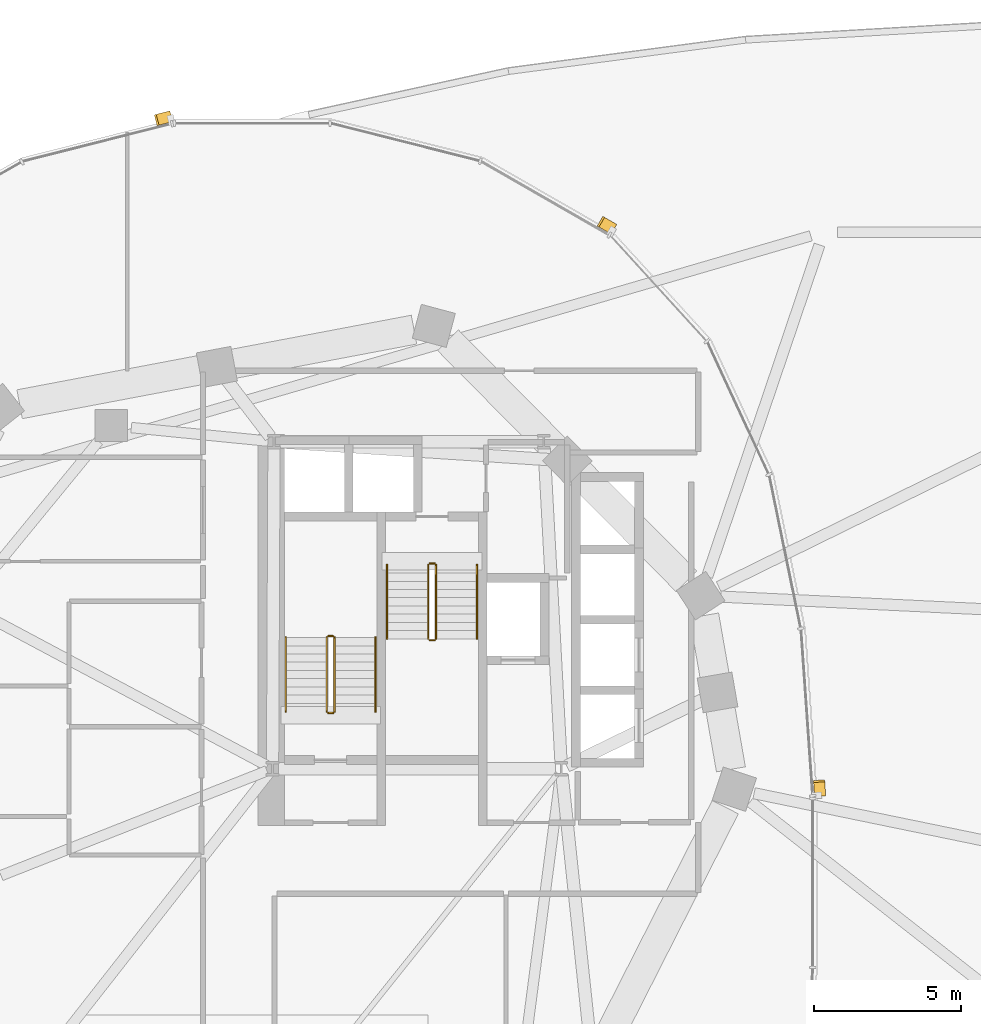
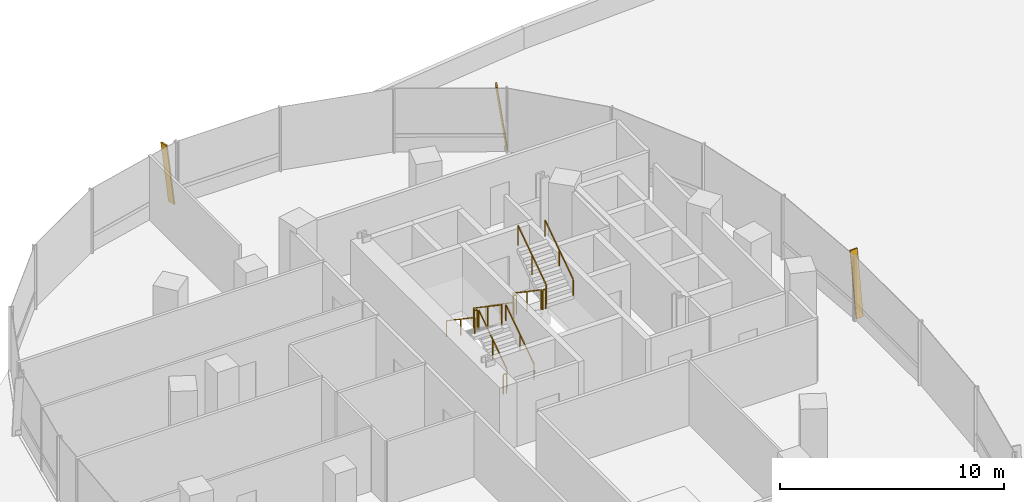
# One storey, part 26 of 28: 12 railings, 3 shading devices.
"""IFC4 building model written with IfcOpenShell, lengths in metres."""

from ifc_helpers import new_model, si_unit, direction, frame, origin, origin_2d, place, context, subcontext, project, spatial, rectangle, extrude, material, material_profile, profile_set, type_object, element, save


model = new_model("IFC4")

# Units and contexts
model_context = context("Model", 3, precision=1e-05, world=origin(), true_north=direction((0.0, 1.0)))
body_context = subcontext(model_context, "Body", "Model", "MODEL_VIEW")
ifc_project = project(units=[si_unit("LENGTHUNIT", "METRE"), si_unit("AREAUNIT", "SQUARE_METRE"), si_unit("VOLUMEUNIT", "CUBIC_METRE"), si_unit("PLANEANGLEUNIT", "RADIAN"), si_unit("MASSUNIT", "GRAM", prefix="KILO"), si_unit("THERMODYNAMICTEMPERATUREUNIT", "KELVIN"), si_unit("POWERUNIT", "WATT")], contexts=[model_context])

# Site, building, storey
site_placement = place(None, origin())
site = spatial("IfcSite", under=ifc_project, at=site_placement, CompositionType="ELEMENT")
building_placement = place(site_placement, origin())
building = spatial("IfcBuilding", under=site, at=building_placement, Name="Cundina Bronze Exchange", CompositionType="ELEMENT")
storey_placement = place(building_placement, frame((0.0, 0.0, 24.0)))
storey = spatial("IfcBuildingStorey", under=building, at=storey_placement, Name="L05", CompositionType="ELEMENT", Elevation=24.0)

# Railings
ifc_material_1 = material(Name="Steel ASTM A36 Painted", Category="steel")
railing_type_1 = type_object("IfcRailingType", Name="RLG-HND-900", PredefinedType="HANDRAIL", material=ifc_material_1)
railing_1_placement = place(storey_placement, frame((-27.7900390625, 5.85009765625, 0.18994140625)))
element("IfcRailing", 1, at=railing_1_placement, inside=storey, type_object=railing_type_1, Name="L05 ST-W1 stair handrail 1", PredefinedType="HANDRAIL", context=body_context, shape_type="SweptSolid", body=[
    extrude(rectangle(XDim=0.048095703125, YDim=0.048095703125, at=origin_2d()), frame((0.0, 0.0, 0.8759765625), z_axis=(0.0, 0.827483756001, 0.561489655786), x_axis=(-1.0, 0.0, 0.0)), (0.0, 0.0, 1.0), 3.04541015625),
    extrude(rectangle(XDim=0.0419921875, YDim=0.0419921875, at=origin_2d()), origin(), (0.0, 0.0, 1.0), 0.851806640625),
    extrude(rectangle(XDim=0.0419921875, YDim=0.0419921875, at=origin_2d()), frame((0.0, 1.260009765625, 0.85498046875)), (0.0, 0.0, 1.0), 0.851806640625),
    extrude(rectangle(XDim=0.0419921875, YDim=0.0419921875, at=origin_2d()), frame((0.0, 2.52001953125, 1.7099609375)), (0.0, 0.0, 1.0), 0.851806640625),
])
for number, where, name in (
    (2, (-30.85009765625, 8.3701171875, 2.090087890625), "L05 ST-W1 stair handrail 2"),
    (3, (-27.389892578125, 10.85009765625, 0.18994140625), "L05 ST-W2 stair handrail 1"),
):
    element("IfcRailing", number, at=place(storey_placement, frame(where)), inside=storey, type_object=railing_type_1, Name=name, PredefinedType="HANDRAIL", context=body_context, shape_type="SweptSolid", body=[
        extrude(rectangle(XDim=0.048095703125, YDim=0.048095703125, at=origin_2d()), frame((0.0, 0.0, 0.8759765625), z_axis=(0.0, -0.827483756001, 0.561489655786), x_axis=(1.0, 0.0, 0.0)), (0.0, 0.0, 1.0), 3.04541015625),
        extrude(rectangle(XDim=0.0419921875, YDim=0.0419921875, at=origin_2d()), origin(), (0.0, 0.0, 1.0), 0.851806640625),
        extrude(rectangle(XDim=0.0419921875, YDim=0.0419921875, at=origin_2d()), frame((0.0, -1.260009765625, 0.85498046875)), (0.0, 0.0, 1.0), 0.851806640625),
        extrude(rectangle(XDim=0.0419921875, YDim=0.0419921875, at=origin_2d()), frame((0.0, -2.52001953125, 1.7099609375)), (0.0, 0.0, 1.0), 0.851806640625),
    ])
railing_2_placement = place(storey_placement, frame((-24.330078125, 8.330078125, 2.090087890625)))
element("IfcRailing", 4, at=railing_2_placement, inside=storey, type_object=railing_type_1, Name="L05 ST-W2 stair handrail 2", PredefinedType="HANDRAIL", context=body_context, shape_type="SweptSolid", body=[
    extrude(rectangle(XDim=0.048095703125, YDim=0.048095703125, at=origin_2d()), frame((0.0, 0.0, 0.8759765625), z_axis=(0.0, 0.827483756001, 0.561489655786), x_axis=(-1.0, 0.0, 0.0)), (0.0, 0.0, 1.0), 3.04541015625),
    extrude(rectangle(XDim=0.0419921875, YDim=0.0419921875, at=origin_2d()), origin(), (0.0, 0.0, 1.0), 0.851806640625),
    extrude(rectangle(XDim=0.0419921875, YDim=0.0419921875, at=origin_2d()), frame((0.0, 1.260009765625, 0.85498046875)), (0.0, 0.0, 1.0), 0.851806640625),
    extrude(rectangle(XDim=0.0419921875, YDim=0.0419921875, at=origin_2d()), frame((0.0, 2.52001953125, 1.7099609375)), (0.0, 0.0, 1.0), 0.851806640625),
])
railing_type_2 = type_object("IfcRailingType", Name="RLG-STG-1100", PredefinedType="GUARDRAIL", material=ifc_material_1)
railing_3_placement = place(storey_placement, frame((-29.18994140625, 5.85009765625, 0.18994140625)))
element("IfcRailing", 5, at=railing_3_placement, inside=storey, type_object=railing_type_2, Name="L05 ST-W1 stair guard 1", PredefinedType="GUARDRAIL", context=body_context, shape_type="SweptSolid", body=[
    extrude(rectangle(XDim=0.048095703125, YDim=0.048095703125, at=origin_2d()), frame((0.0, 0.0, 1.076171875), z_axis=(0.0, 0.827483756001, 0.561489655786), x_axis=(-1.0, 0.0, 0.0)), (0.0, 0.0, 1.0), 3.04541015625),
    extrude(rectangle(XDim=0.0419921875, YDim=0.0419921875, at=origin_2d()), origin(), (0.0, 0.0, 1.0), 1.052001953125),
    extrude(rectangle(XDim=0.0419921875, YDim=0.0419921875, at=origin_2d()), frame((0.0, 1.260009765625, 0.85498046875)), (0.0, 0.0, 1.0), 1.052001953125),
    extrude(rectangle(XDim=0.0419921875, YDim=0.0419921875, at=origin_2d()), frame((0.0, 2.52001953125, 1.7099609375)), (0.0, 0.0, 1.0), 1.052001953125),
])
railing_4_placement = place(storey_placement, frame((-29.239990234375, 8.419921875, 1.89990234375)))
element("IfcRailing", 6, at=railing_4_placement, inside=storey, type_object=railing_type_2, Name="L05 ST-W1 stair guard 2", PredefinedType="GUARDRAIL", context=body_context, shape_type="SweptSolid", body=[
    extrude(rectangle(XDim=0.048095703125, YDim=0.048095703125, at=origin_2d()), frame((0.0, 0.0, 1.076171875), z_axis=(-1.0, 0.0, 0.0), x_axis=(0.0, -1.0, 0.0)), (0.0, 0.0, 1.0), 0.159912109375),
    extrude(rectangle(XDim=0.0419921875, YDim=0.0419921875, at=origin_2d()), origin(), (0.0, 0.0, 1.0), 1.052001953125),
    extrude(rectangle(XDim=0.0419921875, YDim=0.0419921875, at=origin_2d()), frame((-0.159912109375, 0.0, 0.0)), (0.0, 0.0, 1.0), 1.052001953125),
])
railing_5_placement = place(storey_placement, frame((-29.449951171875, 8.3701171875, 2.090087890625)))
element("IfcRailing", 7, at=railing_5_placement, inside=storey, type_object=railing_type_2, Name="L05 ST-W1 stair guard 3", PredefinedType="GUARDRAIL", context=body_context, shape_type="SweptSolid", body=[
    extrude(rectangle(XDim=0.048095703125, YDim=0.048095703125, at=origin_2d()), frame((0.0, 0.0, 1.076171875), z_axis=(0.0, -0.827483756001, 0.561489655786), x_axis=(1.0, 0.0, 0.0)), (0.0, 0.0, 1.0), 3.04541015625),
    extrude(rectangle(XDim=0.0419921875, YDim=0.0419921875, at=origin_2d()), origin(), (0.0, 0.0, 1.0), 1.052001953125),
    extrude(rectangle(XDim=0.0419921875, YDim=0.0419921875, at=origin_2d()), frame((0.0, -1.260009765625, 0.85498046875)), (0.0, 0.0, 1.0), 1.052001953125),
    extrude(rectangle(XDim=0.0419921875, YDim=0.0419921875, at=origin_2d()), frame((0.0, -2.52001953125, 1.7099609375)), (0.0, 0.0, 1.0), 1.052001953125),
])
railing_6_placement = place(storey_placement, frame((-29.239990234375, 5.800048828125, 0.0)))
element("IfcRailing", 8, at=railing_6_placement, inside=storey, type_object=railing_type_2, Name="L05 ST-W1 stair guard 4", PredefinedType="GUARDRAIL", context=body_context, shape_type="SweptSolid", body=[
    extrude(rectangle(XDim=0.048095703125, YDim=0.048095703125, at=origin_2d()), frame((0.0, 0.0, 1.076171875), z_axis=(-1.0, 0.0, 0.0), x_axis=(0.0, -1.0, 0.0)), (0.0, 0.0, 1.0), 0.159912109375),
    extrude(rectangle(XDim=0.0419921875, YDim=0.0419921875, at=origin_2d()), origin(), (0.0, 0.0, 1.0), 1.052001953125),
    extrude(rectangle(XDim=0.0419921875, YDim=0.0419921875, at=origin_2d()), frame((-0.159912109375, 0.0, 0.0)), (0.0, 0.0, 1.0), 1.052001953125),
])
railing_7_placement = place(storey_placement, frame((-25.989990234375, 10.85009765625, 0.18994140625)))
element("IfcRailing", 9, at=railing_7_placement, inside=storey, type_object=railing_type_2, Name="L05 ST-W2 stair guard 1", PredefinedType="GUARDRAIL", context=body_context, shape_type="SweptSolid", body=[
    extrude(rectangle(XDim=0.048095703125, YDim=0.048095703125, at=origin_2d()), frame((0.0, 0.0, 1.076171875), z_axis=(0.0, -0.827483756001, 0.561489655786), x_axis=(1.0, 0.0, 0.0)), (0.0, 0.0, 1.0), 3.04541015625),
    extrude(rectangle(XDim=0.0419921875, YDim=0.0419921875, at=origin_2d()), origin(), (0.0, 0.0, 1.0), 1.052001953125),
    extrude(rectangle(XDim=0.0419921875, YDim=0.0419921875, at=origin_2d()), frame((0.0, -1.260009765625, 0.85498046875)), (0.0, 0.0, 1.0), 1.052001953125),
    extrude(rectangle(XDim=0.0419921875, YDim=0.0419921875, at=origin_2d()), frame((0.0, -2.52001953125, 1.7099609375)), (0.0, 0.0, 1.0), 1.052001953125),
])
railing_8_placement = place(storey_placement, frame((-25.93994140625, 8.280029296875, 1.89990234375)))
element("IfcRailing", 10, at=railing_8_placement, inside=storey, type_object=railing_type_2, Name="L05 ST-W2 stair guard 2", PredefinedType="GUARDRAIL", context=body_context, shape_type="SweptSolid", body=[
    extrude(rectangle(XDim=0.048095703125, YDim=0.048095703125, at=origin_2d()), frame((0.0, 0.0, 1.076171875), z_axis=(1.0, 0.0, 0.0), x_axis=(0.0, 1.0, 0.0)), (0.0, 0.0, 1.0), 0.159912109375),
    extrude(rectangle(XDim=0.0419921875, YDim=0.0419921875, at=origin_2d()), origin(), (0.0, 0.0, 1.0), 1.052001953125),
    extrude(rectangle(XDim=0.0419921875, YDim=0.0419921875, at=origin_2d()), frame((0.159912109375, 0.0, 0.0)), (0.0, 0.0, 1.0), 1.052001953125),
])
railing_9_placement = place(storey_placement, frame((-25.72998046875, 8.330078125, 2.090087890625)))
element("IfcRailing", 11, at=railing_9_placement, inside=storey, type_object=railing_type_2, Name="L05 ST-W2 stair guard 3", PredefinedType="GUARDRAIL", context=body_context, shape_type="SweptSolid", body=[
    extrude(rectangle(XDim=0.048095703125, YDim=0.048095703125, at=origin_2d()), frame((0.0, 0.0, 1.076171875), z_axis=(0.0, 0.827483756001, 0.561489655786), x_axis=(-1.0, 0.0, 0.0)), (0.0, 0.0, 1.0), 3.04541015625),
    extrude(rectangle(XDim=0.0419921875, YDim=0.0419921875, at=origin_2d()), origin(), (0.0, 0.0, 1.0), 1.052001953125),
    extrude(rectangle(XDim=0.0419921875, YDim=0.0419921875, at=origin_2d()), frame((0.0, 1.260009765625, 0.85498046875)), (0.0, 0.0, 1.0), 1.052001953125),
    extrude(rectangle(XDim=0.0419921875, YDim=0.0419921875, at=origin_2d()), frame((0.0, 2.52001953125, 1.7099609375)), (0.0, 0.0, 1.0), 1.052001953125),
])
railing_10_placement = place(storey_placement, frame((-25.93994140625, 10.89990234375, 0.0)))
element("IfcRailing", 12, at=railing_10_placement, inside=storey, type_object=railing_type_2, Name="L05 ST-W2 stair guard 4", PredefinedType="GUARDRAIL", context=body_context, shape_type="SweptSolid", body=[
    extrude(rectangle(XDim=0.048095703125, YDim=0.048095703125, at=origin_2d()), frame((0.0, 0.0, 1.076171875), z_axis=(1.0, 0.0, 0.0), x_axis=(0.0, 1.0, 0.0)), (0.0, 0.0, 1.0), 0.159912109375),
    extrude(rectangle(XDim=0.0419921875, YDim=0.0419921875, at=origin_2d()), origin(), (0.0, 0.0, 1.0), 1.052001953125),
    extrude(rectangle(XDim=0.0419921875, YDim=0.0419921875, at=origin_2d()), frame((0.159912109375, 0.0, 0.0)), (0.0, 0.0, 1.0), 1.052001953125),
])

# Shading devices
ifc_material_2 = material(Name="Anodised Bronze Aluminium 6063-T6", Category="aluminium")
ifc_material_profile = material_profile(ifc_material_2, rectangle(XDim=0.070068359375, YDim=0.3798828125, at=origin_2d()), Name="FIN70X380", Category="aluminium")
ifc_profile_set = profile_set([ifc_material_profile], Name="Anodised Bronze Aluminium 6063-T6")
shading_device_type = type_object("IfcShadingDeviceType", Name="SHD-FIN-BRZ380", PredefinedType="USERDEFINED", material=ifc_profile_set)
for number, where, z_axis, x_axis, name in (
    (13, (-12.6259765625, 2.993896484375, 0.02001953125), (-0.009645159174, 0.137059109714, 0.990515911709), (0.06953288269, -0.988072340253, 0.137398066402), "L05 Diagonal Bronze Solar Fin 1"),
    (14, (-19.685791015625, 22.314208984375, 0.02001953125), (-0.119166378275, 0.06842456559, 0.990513731915), (0.85898178632, -0.493221799887, 0.137413779831), "L05 Diagonal Bronze Solar Fin 5"),
    (15, (-34.787353515625, 26.138427734375, 0.02001953125), (-0.133214830938, -0.033688115694, 0.990514472221), (0.960284642503, 0.242842181368, 0.137408443412), "L05 Diagonal Bronze Solar Fin 1"),
):
    element("IfcShadingDevice", number, at=place(storey_placement, frame(where, z_axis=z_axis, x_axis=x_axis)), inside=storey, type_object=shading_device_type, Name=name, ObjectType="FIN", PredefinedType="USERDEFINED", context=body_context, shape_type="SweptSolid", body=[
        extrude(rectangle(XDim=0.070068359375, YDim=0.3798828125, at=origin_2d()), origin(), (0.0, 0.0, 1.0), 3.4931640625),
    ])

save(model, "model.ifc")
